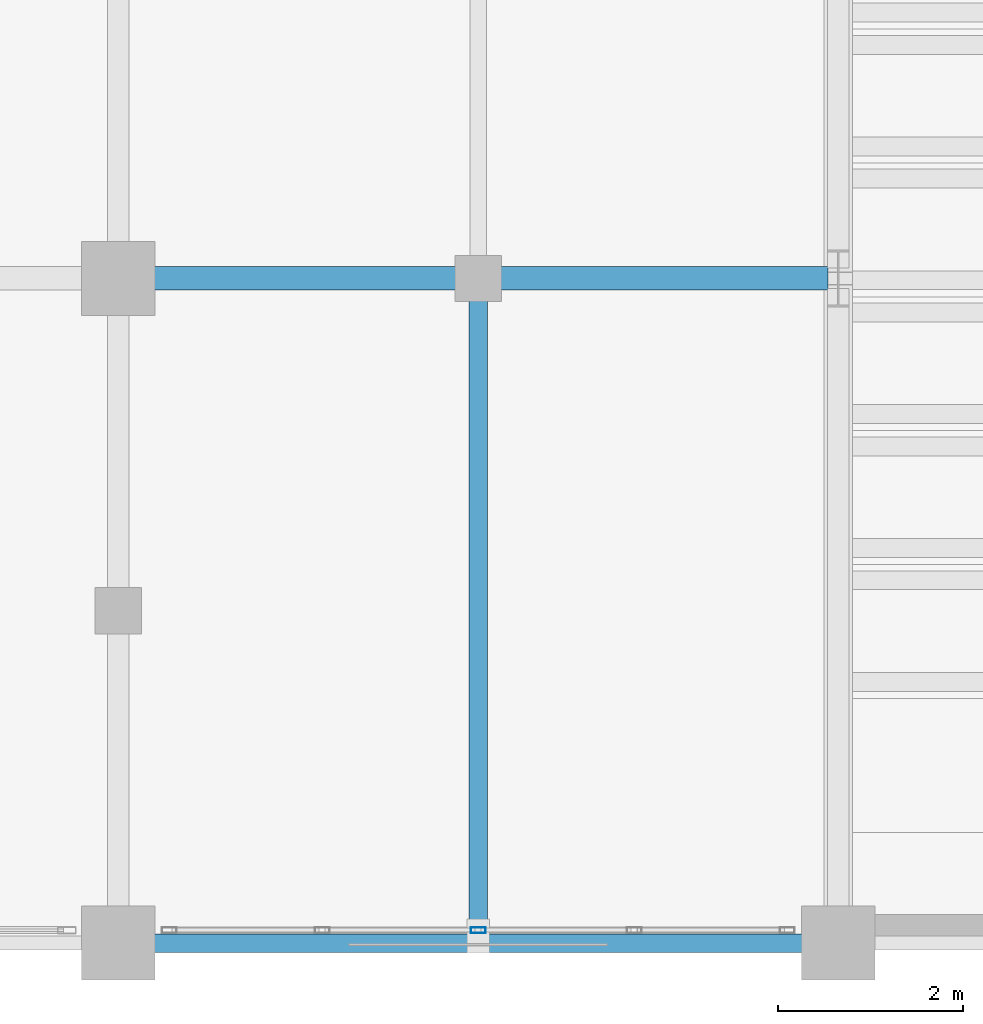
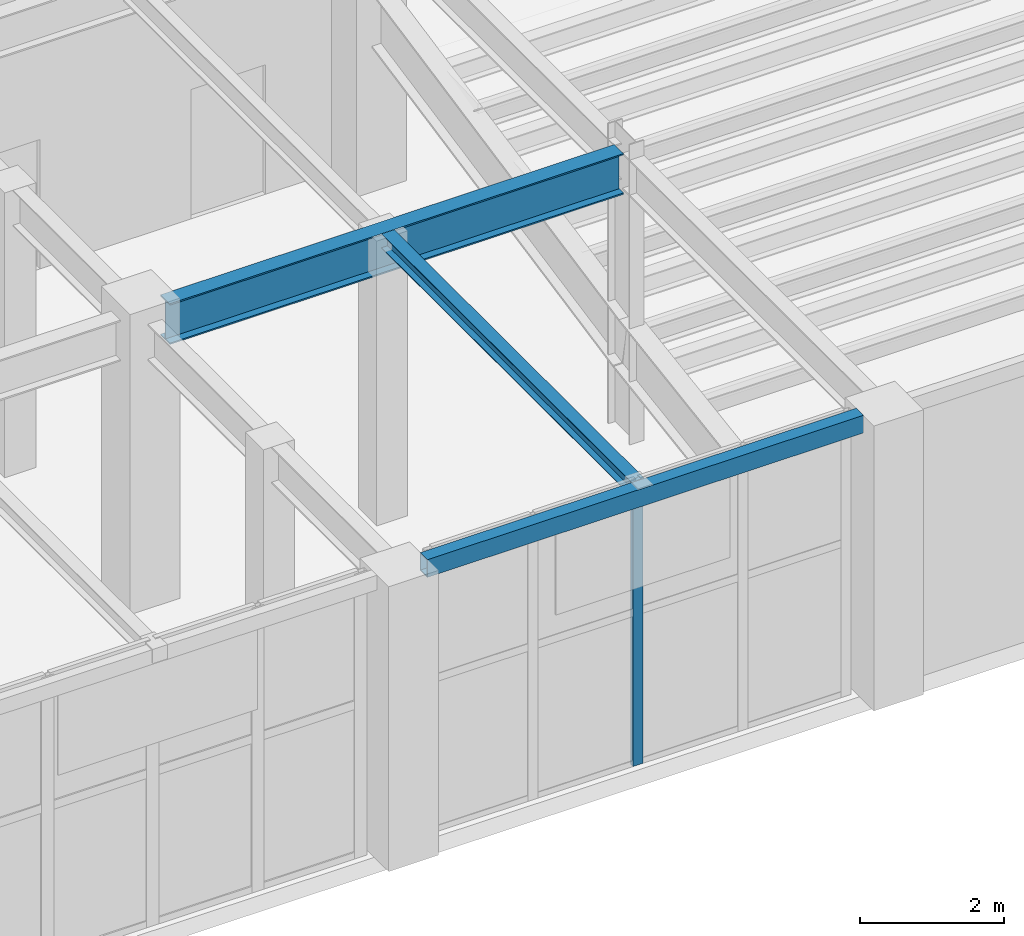
# One storey, part 76 of 128: 3 beams, 1 member, 1 element without a shape of its own.
"""IFC4 building model written with IfcOpenShell, lengths in metres."""

from ifc_helpers import new_model, si_unit, direction, frame, origin, origin_2d, place, context, subcontext, project, spatial, hollow_rectangle, i_section, extrude, material, layer, layer_set, material_profile, profile_set, type_object, element, aggregate, save


model = new_model("IFC4")

# Units and contexts
model_context = context("Model", 3, precision=1e-05, world=origin(), true_north=direction((0.0, 1.0)))
body_context = subcontext(model_context, "Body", "Model", "MODEL_VIEW")
ifc_project = project(units=[si_unit("LENGTHUNIT", "METRE"), si_unit("AREAUNIT", "SQUARE_METRE"), si_unit("VOLUMEUNIT", "CUBIC_METRE"), si_unit("PLANEANGLEUNIT", "RADIAN"), si_unit("MASSUNIT", "GRAM", prefix="KILO")], contexts=[model_context])

# Site, building, storey
site_placement = place(None, origin())
site = spatial("IfcSite", under=ifc_project, at=site_placement, CompositionType="ELEMENT")
building_placement = place(site_placement, origin())
building = spatial("IfcBuilding", under=site, at=building_placement, Name="Xicomal Pleat Aquarium", CompositionType="ELEMENT")
storey_placement = place(building_placement, frame((0.0, 0.0, 5.39990234375)))
storey = spatial("IfcBuildingStorey", under=building, at=storey_placement, Name="L02", CompositionType="ELEMENT", Elevation=5.39990234375)

# Beams
ifc_material_1 = material(Name="Structural steel A992 Gr 50", Category="steel")
ifc_material_profile_1 = material_profile(ifc_material_1, i_section(OverallWidth=0.201904296875, OverallDepth=0.2470703125, WebThickness=0.00732421875, FlangeThickness=0.010986328125, at=origin_2d()), Name="IR 250x49")
ifc_profile_set_1 = profile_set([ifc_material_profile_1], Name="Structural steel A992 Gr 50")
beam_type_1 = type_object("IfcBeamType", Name="BM-STL-IR250", PredefinedType="JOIST", material=ifc_profile_set_1)
beam_1_placement = place(storey_placement, frame((145.5, 0.903076171875, 4.716552734375), z_axis=(0.0, 1.0, 0.0), x_axis=(-1.0, 0.0, 0.0)))
element("IfcBeam", 1, at=beam_1_placement, inside=storey, type_object=beam_type_1, Name="L02 framing beam FBJ-L02-18-A-1", PredefinedType="JOIST", context=body_context, shape_type="SweptSolid", body=[
    extrude(i_section(OverallWidth=0.201904296875, OverallDepth=0.2470703125, WebThickness=0.00732421875, FlangeThickness=0.010986328125, at=origin_2d()), origin(), (0.0, 0.0, 1.0), 6.9658203125),
])
ifc_material_2 = material(Name="Structural steel A992 Gr 50", Category="steel")
ifc_material_profile_2 = material_profile(ifc_material_2, i_section(OverallWidth=0.256103515625, OverallDepth=0.693115234375, WebThickness=0.014404296875, FlangeThickness=0.023681640625, at=origin_2d()), Name="IR 690x170")
ifc_profile_set_2 = profile_set([ifc_material_profile_2], Name="Structural steel A992 Gr 50")
beam_type_2 = type_object("IfcBeamType", Name="BM-STL-IR690", PredefinedType="BEAM", material=ifc_profile_set_2)
beam_2_placement = place(storey_placement, frame((141.9951171875, 8.0, 4.49365234375), z_axis=(1.0, 0.0, 0.0), x_axis=(0.0, 1.0, 0.0)))
element("IfcBeam", 2, at=beam_2_placement, inside=storey, type_object=beam_type_2, Name="L02 framing beam FGX-L02-18-19-B", PredefinedType="BEAM", context=body_context, shape_type="SweptSolid", body=[
    extrude(i_section(OverallWidth=0.256103515625, OverallDepth=0.693115234375, WebThickness=0.014404296875, FlangeThickness=0.023681640625, at=origin_2d()), origin(), (0.0, 0.0, 1.0), 7.294921875),
])
ifc_material_3 = material(Name="Structural steel A500 Gr C", Category="steel")
ifc_material_profile_3 = material_profile(ifc_material_3, hollow_rectangle(XDim=0.199951171875, YDim=0.300048828125, WallThickness=0.011962890625, at=origin_2d()), Name="OR 300x200x12")
ifc_profile_set_3 = profile_set([ifc_material_profile_3], Name="Structural steel A500 Gr C")
beam_type_3 = type_object("IfcBeamType", Name="BM-STL-OR300", PredefinedType="SPANDREL", material=ifc_profile_set_3)
beam_3_placement = place(storey_placement, frame((141.9951171875, 0.800048828125, 4.690185546875), z_axis=(1.0, 0.0, 0.0), x_axis=(0.0, 1.0, 0.0)))
element("IfcBeam", 3, at=beam_3_placement, inside=storey, type_object=beam_type_3, Name="L02 framing beam FGX-L02-18-19-A", PredefinedType="SPANDREL", context=body_context, shape_type="SweptSolid", body=[
    extrude(hollow_rectangle(XDim=0.199951171875, YDim=0.300048828125, WallThickness=0.011962890625, at=origin_2d()), origin(), (0.0, 0.0, 1.0), 7.009765625),
])

# Curtain wall, member
ifc_material_4 = material(Name="Bronze anodized aluminium 6063-T6", Category="aluminium")
ifc_layer = layer(ifc_material_4, 0.159912109375)
ifc_layer_set = layer_set([ifc_layer], Name="Bronze anodized aluminium 6063-T6")
curtain_wall_type = type_object("IfcCurtainWallType", Name="CW-SYS-02", PredefinedType="NOTDEFINED", material=ifc_layer_set)
curtain_wall_placement = place(storey_placement, origin())
curtain_wall = element("IfcCurtainWall", 4, at=curtain_wall_placement, inside=storey, type_object=curtain_wall_type, Name="L02 unitised curtain wall CW-L02-075", PredefinedType="NOTDEFINED")
ifc_material_5 = material(Name="Bronze anodized aluminium 6063-T6", Category="aluminium")
ifc_material_profile_4 = material_profile(ifc_material_5, hollow_rectangle(XDim=0.06494140625, YDim=0.159912109375, WallThickness=0.00390625, at=origin_2d()), Name="ALU MULL 65x160")
ifc_profile_set_4 = profile_set([ifc_material_profile_4], Name="Bronze anodized aluminium 6063-T6")
member_type = type_object("IfcMemberType", Name="CWM-65x160", PredefinedType="MULLION", material=ifc_profile_set_4)
member_placement = place(storey_placement, frame((145.5, 0.93994140625, 0.0), z_axis=(0.0, 0.0, 1.0), x_axis=(0.0, -1.0, 0.0)))
member = element("IfcMember", 5, at=member_placement, type_object=member_type, Name="CW-02 mullion 3", PredefinedType="MULLION", context=body_context, shape_type="SweptSolid", body=[
    extrude(hollow_rectangle(XDim=0.06494140625, YDim=0.159912109375, WallThickness=0.00390625, at=origin_2d()), origin(), (0.0, 0.0, 1.0), 4.840087890625),
])
aggregate(curtain_wall, [member])

save(model, "model.ifc")
